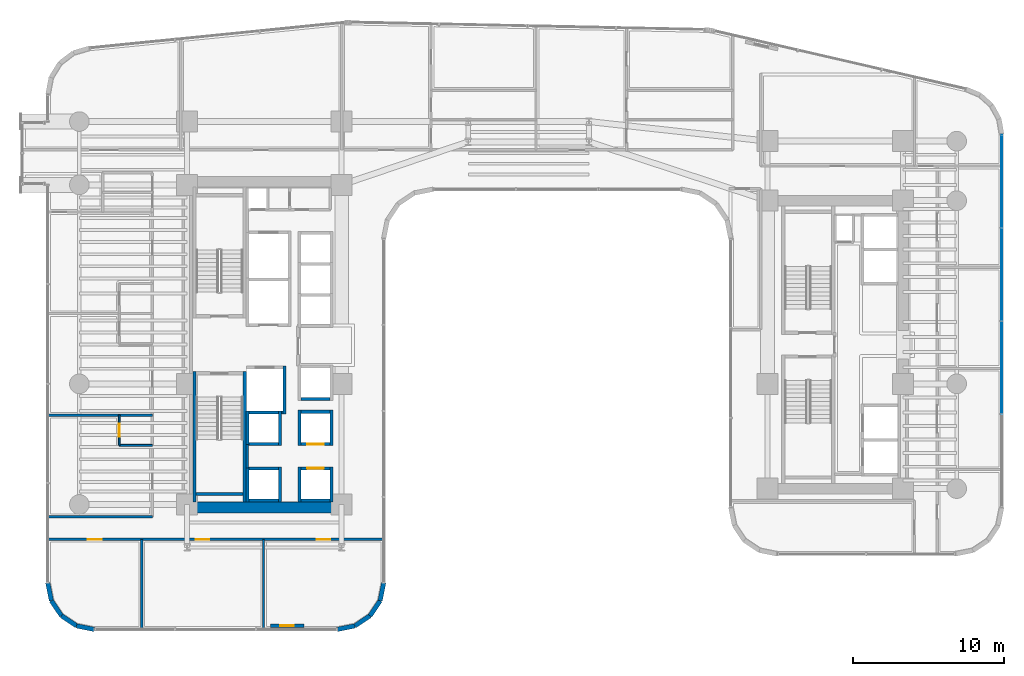
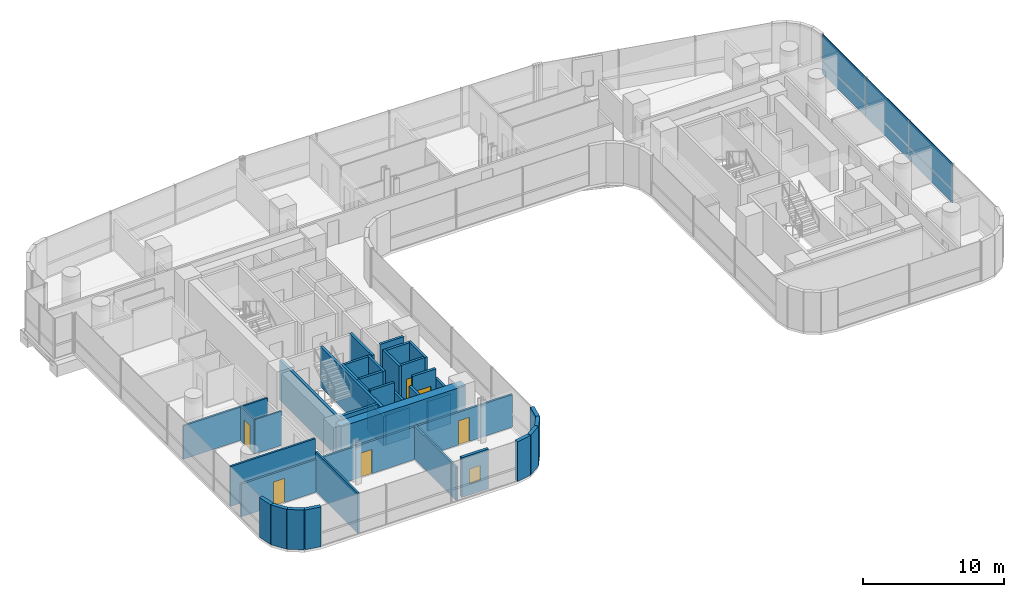
# One storey, part 31 of 41: 39 walls, 6 doors, 5 plates, 1 window, 7 openings, 1 element without a shape of its own.
"""IFC4 building model written with IfcOpenShell, lengths in metres."""

from ifc_helpers import new_model, si_unit, direction, frame, frame_2d, origin, origin_2d, place, context, subcontext, project, spatial, rectangle, extrude, source, transform, mapped, material, layer, layer_set, type_object, element, fill, aggregate, save


model = new_model("IFC4")

# Units and contexts
model_context = context("Model", 3, precision=1e-05, world=origin(), true_north=direction((0.0, 1.0)))
body_context = subcontext(model_context, "Body", "Model", "MODEL_VIEW")
ifc_project = project(units=[si_unit("LENGTHUNIT", "METRE"), si_unit("AREAUNIT", "SQUARE_METRE"), si_unit("VOLUMEUNIT", "CUBIC_METRE"), si_unit("PLANEANGLEUNIT", "RADIAN"), si_unit("MASSUNIT", "GRAM", prefix="KILO")], contexts=[model_context])

# Site, building, storey
site_placement = place(None, origin())
site = spatial("IfcSite", under=ifc_project, at=site_placement, CompositionType="ELEMENT")
building_placement = place(site_placement, origin())
building = spatial("IfcBuilding", under=site, at=building_placement, Name="Valdorenza Pilgrim Sanctuary Tower", CompositionType="ELEMENT")
storey_placement = place(building_placement, frame((0.0, 0.0, 88.89990234375)))
storey = spatial("IfcBuildingStorey", under=building, at=storey_placement, Name="L22", CompositionType="ELEMENT", Elevation=88.89990234375)

# Curtain wall, plates
ifc_material_1 = material(Name="Curtain-wall IGU glazing", Category="glass")
curtain_wall_type = type_object("IfcCurtainWallType", Name="CW-SYS-03", PredefinedType="NOTDEFINED", material=ifc_material_1)
curtain_wall_placement = place(storey_placement, origin())
curtain_wall = element("IfcCurtainWall", 1, at=curtain_wall_placement, inside=storey, type_object=curtain_wall_type, Name="L22 Curtain Wall CW-L22-1-21", PredefinedType="NOTDEFINED")
ifc_material_2 = material(Name="Honed travertine limestone", Category="masonry")
ifc_layer_1 = layer(ifc_material_2, 0.050048828125, Name="Honed travertine limestone")
ifc_layer_set_1 = layer_set([ifc_layer_1], Name="Honed travertine limestone")
plate_type_1 = type_object("IfcPlateType", Name="CW-SPN-TRV", PredefinedType="USERDEFINED", material=ifc_layer_set_1)
shared_shape_1 = source(origin(), body_context, "Body", "SweptSolid", [
    extrude(rectangle(XDim=6.16357421875, YDim=0.06005859375, at=origin_2d()), origin(), (0.0, 0.0, 1.0), 1.10009765625),
])
plate_1_placement = place(storey_placement, frame((31.389892578125, 10.853271484375, 0.010009765625), z_axis=(0.0, 0.0, 1.0), x_axis=(0.0, -1.0, 0.0)))
plate_1 = element("IfcPlate", 2, at=plate_1_placement, type_object=plate_type_1, Name="CW-L22-1-21 Travertine Spandrel 1", ObjectType="SPANDREL", PredefinedType="USERDEFINED", context=body_context, shape_type="MappedRepresentation", body=[
    mapped(shared_shape_1, transform((0.0, 0.0, 0.0), x_axis=(1.0, 0.0, 0.0), y_axis=(0.0, 1.0, 0.0), z_axis=(0.0, 0.0, 1.0), scale=1.0)),
])
plate_2_placement = place(storey_placement, frame((31.389892578125, -1.513916015625, 0.010009765625), z_axis=(0.0, 0.0, 1.0), x_axis=(0.0, -1.0, 0.0)))
plate_2 = element("IfcPlate", 3, at=plate_2_placement, type_object=plate_type_1, Name="CW-L22-1-21 Travertine Spandrel 3", ObjectType="SPANDREL", PredefinedType="USERDEFINED", context=body_context, shape_type="MappedRepresentation", body=[
    mapped(shared_shape_1, transform((0.0, 0.0, 0.0), x_axis=(1.0, 0.0, 0.0), y_axis=(0.0, 1.0, 0.0), z_axis=(0.0, 0.0, 1.0), scale=1.0)),
])
ifc_material_3 = material(Name="Ceramic-fritted low-E IGU glazing", Category="glass")
ifc_layer_2 = layer(ifc_material_3, 0.035888671875, Name="Ceramic-fritted low-E IGU glazing")
ifc_layer_set_2 = layer_set([ifc_layer_2], Name="Ceramic-fritted low-E IGU glazing")
plate_type_2 = type_object("IfcPlateType", Name="CW-GLZ-IGU", PredefinedType="USERDEFINED", material=ifc_layer_set_2)
shared_shape_2 = source(origin(), body_context, "Body", "SweptSolid", [
    extrude(rectangle(XDim=6.16357421875, YDim=0.050048828125, at=origin_2d()), origin(), (0.0, 0.0, 1.0), 2.320068359375),
])
plate_3_placement = place(storey_placement, frame((31.389892578125, 10.853271484375, 1.1298828125), z_axis=(0.0, 0.0, 1.0), x_axis=(0.0, -1.0, 0.0)))
plate_3 = element("IfcPlate", 4, at=plate_3_placement, type_object=plate_type_2, Name="CW-L22-1-21 Facade Panel 1", ObjectType="GLAZING", PredefinedType="USERDEFINED", context=body_context, shape_type="MappedRepresentation", body=[
    mapped(shared_shape_2, transform((0.0, 0.0, 0.0), x_axis=(1.0, 0.0, 0.0), y_axis=(0.0, 1.0, 0.0), z_axis=(0.0, 0.0, 1.0), scale=1.0)),
])
plate_4_placement = place(storey_placement, frame((31.389892578125, -1.513916015625, 1.1298828125), z_axis=(0.0, 0.0, 1.0), x_axis=(0.0, -1.0, 0.0)))
plate_4 = element("IfcPlate", 5, at=plate_4_placement, type_object=plate_type_2, Name="CW-L22-1-21 Facade Panel 3", ObjectType="GLAZING", PredefinedType="USERDEFINED", context=body_context, shape_type="MappedRepresentation", body=[
    mapped(shared_shape_2, transform((0.0, 0.0, 0.0), x_axis=(1.0, 0.0, 0.0), y_axis=(0.0, 1.0, 0.0), z_axis=(0.0, 0.0, 1.0), scale=1.0)),
])
shared_shape_3 = source(origin(), body_context, "Body", "SweptSolid", [
    extrude(rectangle(XDim=6.16357421875, YDim=0.050048828125, at=origin_2d()), origin(), (0.0, 0.0, 1.0), 3.43994140625),
])
plate_5_placement = place(storey_placement, frame((31.389892578125, 4.669677734375, 0.010009765625), z_axis=(0.0, 0.0, 1.0), x_axis=(0.0, -1.0, 0.0)))
plate_5 = element("IfcPlate", 6, at=plate_5_placement, type_object=plate_type_2, Name="CW-L22-1-21 Full-Height Facade Panel 2", ObjectType="GLAZING", PredefinedType="USERDEFINED", context=body_context, shape_type="MappedRepresentation", body=[
    mapped(shared_shape_3, transform((0.0, 0.0, 0.0), x_axis=(1.0, 0.0, 0.0), y_axis=(0.0, 1.0, 0.0), z_axis=(0.0, 0.0, 1.0), scale=1.0)),
])
aggregate(curtain_wall, [plate_1, plate_3, plate_5, plate_2, plate_4])

# Wall
ifc_material_4 = material(Name="Acoustic twin-stud gypsum partition", Category="gypsum")
ifc_layer_3 = layer(ifc_material_4, 0.159912109375, Name="Acoustic twin-stud gypsum partition")
ifc_layer_set_3 = layer_set([ifc_layer_3], Name="Acoustic twin-stud gypsum partition")
wall_type_1 = type_object("IfcWallType", Name="WAL-COR-160", PredefinedType="PARTITIONING", material=ifc_layer_set_3)
wall_1_placement = place(storey_placement, frame((-18.64990234375, -8.179931640625, 0.0), z_axis=(0.0, 0.0, 1.0), x_axis=(0.0, 1.0, 0.0)))
element("IfcWall", 7, at=wall_1_placement, inside=storey, type_object=wall_type_1, Name="L22 Core A South Lift Hall West Wall", PredefinedType="PARTITIONING", context=body_context, shape_type="SweptSolid", body=[
    extrude(rectangle(XDim=1.559814453125, YDim=0.159912109375, at=frame_2d((0.77978515625, 0.0))), origin(), (0.0, 0.0, 1.0), 3.460205078125),
])

# Wall, openings, doors
wall_2_placement = place(storey_placement, frame((-31.889892578125, -12.919921875, 0.0), z_axis=(0.0, 0.0, 1.0), x_axis=(1.0, 0.0, 0.0)))
wall_2 = element("IfcWall", 8, at=wall_2_placement, inside=storey, type_object=wall_type_1, Name="L22 South Wing Corridor Wall", PredefinedType="PARTITIONING", context=body_context, shape_type="SweptSolid", body=[
    extrude(rectangle(XDim=22.27978515625, YDim=0.159912109375, at=frame_2d((11.139892578125, 0.0))), origin(), (0.0, 0.0, 1.0), 2.833984375),
])
opening_1_placement = place(wall_2_placement, frame((2.6650390625, 0.0, 0.0)))
opening_1 = element("IfcOpeningElement", 9, at=opening_1_placement, cuts=wall_2, Name="Opening DR-RM1", PredefinedType="OPENING", context=body_context, shape_type="SweptSolid", body=[
    extrude(rectangle(XDim=0.89990234375, YDim=2.10009765625, at=frame_2d((0.449951171875, 1.050048828125))), frame((0.0, 0.0947265625, 0.0), z_axis=(0.0, -1.0, 0.0), x_axis=(1.0, 0.0, 0.0)), (0.0, 0.0, 1.0), 0.189697265625),
])
opening_2_placement = place(wall_2_placement, frame((9.820068359375, 0.0, 0.0)))
opening_2 = element("IfcOpeningElement", 10, at=opening_2_placement, cuts=wall_2, Name="Opening DR-RM1", PredefinedType="OPENING", context=body_context, shape_type="SweptSolid", body=[
    extrude(rectangle(XDim=0.89990234375, YDim=2.10009765625, at=frame_2d((0.449951171875, 1.050048828125))), frame((0.0, 0.0947265625, 0.0), z_axis=(0.0, -1.0, 0.0), x_axis=(1.0, 0.0, 0.0)), (0.0, 0.0, 1.0), 0.189697265625),
])
opening_3_placement = place(wall_2_placement, frame((17.844970703125, 0.0, 0.0)))
opening_3 = element("IfcOpeningElement", 11, at=opening_3_placement, cuts=wall_2, Name="Opening DR-RM1", PredefinedType="OPENING", context=body_context, shape_type="SweptSolid", body=[
    extrude(rectangle(XDim=0.89990234375, YDim=2.10009765625, at=frame_2d((0.449951171875, 1.050048828125))), frame((0.0, 0.0947265625, 0.0), z_axis=(0.0, -1.0, 0.0), x_axis=(1.0, 0.0, 0.0)), (0.0, 0.0, 1.0), 0.189697265625),
])
ifc_material_5 = material(Name="Solid-core European oak timber", Category="wood")
door_type_1 = type_object("IfcDoorType", Name="DR-ROOM-900", OperationType="NOTDEFINED", PredefinedType="DOOR", material=ifc_material_5)
door_1_placement = place(opening_1_placement, frame((0.89990234375, 0.0, 0.0), z_axis=(0.0, 0.0, 1.0), x_axis=(-1.0, 0.0, 0.0)))
door_1 = element("IfcDoor", 12, at=door_1_placement, inside=storey, type_object=door_type_1, Name="L22 Retreat Discussion Room L22-S1 Door", OperationType="SINGLE_SWING_LEFT", OverallHeight=2.10009765625, OverallWidth=0.89990234375, PredefinedType="DOOR", context=body_context, shape_type="SweptSolid", body=[
    extrude(rectangle(XDim=0.89990234375, YDim=2.10009765625, at=frame_2d((0.449951171875, 1.050048828125))), frame((0.0, 0.02490234375, 0.0), z_axis=(0.0, -1.0, 0.0), x_axis=(1.0, 0.0, 0.0)), (0.0, 0.0, 1.0), 0.050048828125),
])
fill(opening_1, door_1)
door_2_placement = place(opening_2_placement, origin())
door_2 = element("IfcDoor", 13, at=door_2_placement, inside=storey, type_object=door_type_1, Name="L22 Retreat Discussion Room L22-S2 Door", OperationType="SINGLE_SWING_RIGHT", OverallHeight=2.10009765625, OverallWidth=0.89990234375, PredefinedType="DOOR", context=body_context, shape_type="SweptSolid", body=[
    extrude(rectangle(XDim=0.89990234375, YDim=2.10009765625, at=frame_2d((0.449951171875, 1.050048828125))), frame((0.0, 0.02490234375, 0.0), z_axis=(0.0, -1.0, 0.0), x_axis=(1.0, 0.0, 0.0)), (0.0, 0.0, 1.0), 0.050048828125),
])
fill(opening_2, door_2)
door_3_placement = place(opening_3_placement, frame((0.89990234375, 0.0, 0.0), z_axis=(0.0, 0.0, 1.0), x_axis=(-1.0, 0.0, 0.0)))
door_3 = element("IfcDoor", 14, at=door_3_placement, inside=storey, type_object=door_type_1, Name="L22 Retreat Discussion Room L22-S3 Door", OperationType="SINGLE_SWING_LEFT", OverallHeight=2.10009765625, OverallWidth=0.89990234375, PredefinedType="DOOR", context=body_context, shape_type="SweptSolid", body=[
    extrude(rectangle(XDim=0.89990234375, YDim=2.10009765625, at=frame_2d((0.449951171875, 1.050048828125))), frame((0.0, 0.02490234375, 0.0), z_axis=(0.0, -1.0, 0.0), x_axis=(1.0, 0.0, 0.0)), (0.0, 0.0, 1.0), 0.050048828125),
])
fill(opening_3, door_3)

# Walls
wall_3_placement = place(storey_placement, frame((-31.889892578125, -11.419921875, 0.0), z_axis=(0.0, 0.0, 1.0), x_axis=(1.0, 0.0, 0.0)))
element("IfcWall", 15, at=wall_3_placement, inside=storey, type_object=wall_type_1, Name="L22 South-West Corridor North Wall", PredefinedType="PARTITIONING", context=body_context, shape_type="SweptSolid", body=[
    extrude(rectangle(XDim=6.93994140625, YDim=0.159912109375, at=frame_2d((3.469970703125, 0.0))), origin(), (0.0, 0.0, 1.0), 3.460205078125),
])
ifc_material_6 = material(Name="Concrete C60/75", Category="concrete")
ifc_layer_4 = layer(ifc_material_6, 0.699951171875, Name="Concrete C60/75")
ifc_layer_set_4 = layer_set([ifc_layer_4], Name="Concrete C60/75")
wall_type_2 = type_object("IfcWallType", Name="WAL-COR-700", PredefinedType="SHEAR", material=ifc_layer_set_4)
wall_4_placement = place(storey_placement, frame((-22.64990234375, -10.800048828125, 0.0), z_axis=(0.0, 0.0, 1.0), x_axis=(1.0, 0.0, 0.0)))
element("IfcWall", 16, at=wall_4_placement, inside=storey, type_object=wall_type_2, Name="L22 Split Core A Shear Wall S", PredefinedType="SHEAR", context=body_context, shape_type="SweptSolid", body=[
    extrude(rectangle(XDim=10.25, YDim=0.699951171875, at=frame_2d((5.125, 0.0))), origin(), (0.0, 0.0, 1.0), 3.460205078125),
])
ifc_layer_5 = layer(ifc_material_2, 0.300048828125, Name="Honed travertine limestone")
ifc_layer_set_5 = layer_set([ifc_layer_5], Name="Honed travertine limestone")
wall_type_3 = type_object("IfcWallType", Name="WAL-EXT-300", PredefinedType="SOLIDWALL", material=ifc_layer_set_5)
wall_5_placement = place(storey_placement, frame((-9.610107421875, -15.789306640625, 0.0), z_axis=(0.0, 0.0, 1.0), x_axis=(-0.194996050505, -0.980804027463, 0.0)))
element("IfcWall", 17, at=wall_5_placement, inside=storey, type_object=wall_type_3, Name="L22 Rounded Wind-Corner Stone Pier 42", PredefinedType="SOLIDWALL", context=body_context, shape_type="SweptSolid", body=[
    extrude(rectangle(XDim=1.2158203125, YDim=0.300048828125, at=frame_2d((0.60791015625, 0.0))), origin(), (0.0, 0.0, 1.0), 3.460205078125),
])
for number, where, z_axis, x_axis, name in (
    (18, (-9.84716796875, -16.981689453125, 0.0), (0.0, 0.0, 1.0), (-0.555635100982, -0.831426265255, 0.0), "L22 Rounded Wind-Corner Stone Pier 43"),
    (19, (-10.5166015625, -17.9833984375, 0.0), (0.0, 0.0, 1.0), (-0.831426265255, -0.555635100982, 0.0), "L22 Rounded Wind-Corner Stone Pier 44"),
):
    element("IfcWall", number, at=place(storey_placement, frame(where, z_axis=z_axis, x_axis=x_axis)), inside=storey, type_object=wall_type_3, Name=name, PredefinedType="SOLIDWALL", context=body_context, shape_type="SweptSolid", body=[
        extrude(rectangle(XDim=1.204833984375, YDim=0.300048828125, at=frame_2d((0.6025390625, 0.0))), origin(), (0.0, 0.0, 1.0), 3.460205078125),
    ])
wall_6_placement = place(storey_placement, frame((-11.518310546875, -18.65283203125, 0.0), z_axis=(0.0, 0.0, 1.0), x_axis=(-0.980804027463, -0.194996050505, 0.0)))
element("IfcWall", 20, at=wall_6_placement, inside=storey, type_object=wall_type_3, Name="L22 Rounded Wind-Corner Stone Pier 45", PredefinedType="SOLIDWALL", context=body_context, shape_type="SweptSolid", body=[
    extrude(rectangle(XDim=1.2158203125, YDim=0.300048828125, at=frame_2d((0.60791015625, 0.0))), origin(), (0.0, 0.0, 1.0), 3.460205078125),
])

# Wall, opening, window
wall_7_placement = place(storey_placement, frame((-14.910888671875, -18.64990234375, 0.0), z_axis=(0.0, 0.0, 1.0), x_axis=(-1.0, 0.0, 0.0)))
wall_7 = element("IfcWall", 21, at=wall_7_placement, inside=storey, type_object=wall_type_3, Name="L22 Operable Ventilation Sash Jamb Pier", PredefinedType="SOLIDWALL", context=body_context, shape_type="SweptSolid", body=[
    extrude(rectangle(XDim=2.199951171875, YDim=0.219970703125, at=frame_2d((1.10009765625, 0.0))), origin(), (0.0, 0.0, 1.0), 3.460205078125),
])
opening_4_placement = place(wall_7_placement, frame((0.64990234375, 0.0, 0.949951171875)))
opening_4 = element("IfcOpeningElement", 22, at=opening_4_placement, cuts=wall_7, Name="Opening WN-OP1", PredefinedType="OPENING", context=body_context, shape_type="SweptSolid", body=[
    extrude(rectangle(XDim=0.89990234375, YDim=1.300048828125, at=frame_2d((0.449951171875, 0.64990234375))), frame((0.0, 0.125, 0.0), z_axis=(0.0, -1.0, 0.0), x_axis=(1.0, 0.0, 0.0)), (0.0, 0.0, 1.0), 0.249755859375),
])
window_type = type_object("IfcWindowType", Name="WIN-OPN-900", PartitioningType="SINGLE_PANEL", PredefinedType="WINDOW", material=ifc_material_3)
window_placement = place(opening_4_placement, origin())
window = element("IfcWindow", 23, at=window_placement, inside=storey, type_object=window_type, Name="L22 Parallel-Pop-Out Operable Facade Panel", OverallHeight=1.300048828125, OverallWidth=0.89990234375, PartitioningType="SINGLE_PANEL", PredefinedType="WINDOW", context=body_context, shape_type="SweptSolid", body=[
    extrude(rectangle(XDim=0.89990234375, YDim=1.300048828125, at=frame_2d((0.449951171875, 0.64990234375))), frame((0.0, 0.030029296875, 0.0), z_axis=(0.0, -1.0, 0.0), x_axis=(1.0, 0.0, 0.0)), (0.0, 0.0, 1.0), 0.06005859375),
])
fill(opening_4, window)

# Walls
wall_8_placement = place(storey_placement, frame((-28.789306640625, -18.889892578125, 0.0), z_axis=(0.0, 0.0, 1.0), x_axis=(-0.980804027463, 0.194996050505, 0.0)))
element("IfcWall", 24, at=wall_8_placement, inside=storey, type_object=wall_type_3, Name="L22 Rounded Wind-Corner Stone Pier 47", PredefinedType="SOLIDWALL", context=body_context, shape_type="SweptSolid", body=[
    extrude(rectangle(XDim=1.2158203125, YDim=0.300048828125, at=frame_2d((0.60791015625, 0.0))), origin(), (0.0, 0.0, 1.0), 3.460205078125),
])
for number, where, z_axis, x_axis, name in (
    (25, (-29.981689453125, -18.65283203125, 0.0), (0.0, 0.0, 1.0), (-0.831426265255, 0.555635100982, 0.0), "L22 Rounded Wind-Corner Stone Pier 48"),
    (26, (-30.9833984375, -17.9833984375, 0.0), (0.0, 0.0, 1.0), (-0.555635100982, 0.831426265255, 0.0), "L22 Rounded Wind-Corner Stone Pier 49"),
):
    element("IfcWall", number, at=place(storey_placement, frame(where, z_axis=z_axis, x_axis=x_axis)), inside=storey, type_object=wall_type_3, Name=name, PredefinedType="SOLIDWALL", context=body_context, shape_type="SweptSolid", body=[
        extrude(rectangle(XDim=1.204833984375, YDim=0.300048828125, at=frame_2d((0.6025390625, 0.0))), origin(), (0.0, 0.0, 1.0), 3.460205078125),
    ])
wall_9_placement = place(storey_placement, frame((-31.65283203125, -16.981689453125, 0.0), z_axis=(0.0, 0.0, 1.0), x_axis=(-0.194996050505, 0.980804027463, 0.0)))
element("IfcWall", 27, at=wall_9_placement, inside=storey, type_object=wall_type_3, Name="L22 Rounded Wind-Corner Stone Pier 50", PredefinedType="SOLIDWALL", context=body_context, shape_type="SweptSolid", body=[
    extrude(rectangle(XDim=1.2158203125, YDim=0.300048828125, at=frame_2d((0.60791015625, 0.0))), origin(), (0.0, 0.0, 1.0), 3.460205078125),
])
ifc_material_7 = material(Name="Moisture-resistant gypsum partition", Category="gypsum")
ifc_layer_6 = layer(ifc_material_7, 0.1201171875, Name="Moisture-resistant gypsum partition")
ifc_layer_set_6 = layer_set([ifc_layer_6], Name="Moisture-resistant gypsum partition")
wall_type_4 = type_object("IfcWallType", Name="WAL-INT-120", PredefinedType="PARTITIONING", material=ifc_layer_set_6)
wall_10_placement = place(storey_placement, frame((-27.14990234375, -6.679931640625, 0.0), z_axis=(0.0, 0.0, 1.0), x_axis=(1.0, 0.0, 0.0)))
element("IfcWall", 28, at=wall_10_placement, inside=storey, type_object=wall_type_4, Name="L22 Sanctuary Guest Room L22-W1 En-suite South Wall", PredefinedType="PARTITIONING", context=body_context, shape_type="SweptSolid", body=[
    extrude(rectangle(XDim=2.199951171875, YDim=0.1201171875, at=frame_2d((1.10009765625, 0.0))), origin(), (0.0, 0.0, 1.0), 2.97900390625),
])

# Wall, opening, door
wall_11_placement = place(storey_placement, frame((-27.14990234375, -6.679931640625, 0.0), z_axis=(0.0, 0.0, 1.0), x_axis=(0.0, 1.0, 0.0)))
wall_11 = element("IfcWall", 29, at=wall_11_placement, inside=storey, type_object=wall_type_4, Name="L22 Sanctuary Guest Room L22-W1 En-suite Door Wall", PredefinedType="PARTITIONING", context=body_context, shape_type="SweptSolid", body=[
    extrude(rectangle(XDim=2.0, YDim=0.1201171875, at=frame_2d((1.0, 0.0))), origin(), (0.0, 0.0, 1.0), 2.97900390625),
])
opening_5_placement = place(wall_11_placement, frame((0.574951171875, 0.0, 0.0)))
opening_5 = element("IfcOpeningElement", 30, at=opening_5_placement, cuts=wall_11, Name="Opening DR-WC1", PredefinedType="OPENING", context=body_context, shape_type="SweptSolid", body=[
    extrude(rectangle(XDim=0.85009765625, YDim=2.10009765625, at=frame_2d((0.425048828125, 1.050048828125))), frame((0.0, 0.074951171875, 0.0), z_axis=(0.0, -1.0, 0.0), x_axis=(1.0, 0.0, 0.0)), (0.0, 0.0, 1.0), 0.14990234375),
])
ifc_material_8 = material(Name="Moisture-resistant lacquered timber", Category="wood")
door_type_2 = type_object("IfcDoorType", Name="DR-BATH-850", OperationType="NOTDEFINED", PredefinedType="DOOR", material=ifc_material_8)
door_4_placement = place(opening_5_placement, origin())
door_4 = element("IfcDoor", 31, at=door_4_placement, inside=storey, type_object=door_type_2, Name="L22 Sanctuary Guest Room L22-W1 En-suite Bathroom Door", OperationType="SINGLE_SWING_RIGHT", OverallHeight=2.10009765625, OverallWidth=0.85009765625, PredefinedType="DOOR", context=body_context, shape_type="SweptSolid", body=[
    extrude(rectangle(XDim=0.85009765625, YDim=2.10009765625, at=frame_2d((0.425048828125, 1.050048828125))), frame((0.0, 0.02490234375, 0.0), z_axis=(0.0, -1.0, 0.0), x_axis=(1.0, 0.0, 0.0)), (0.0, 0.0, 1.0), 0.050048828125),
])
fill(opening_5, door_4)

# Walls
ifc_material_9 = material(Name="Autoclaved aerated concrete blockwork", Category="masonry")
ifc_layer_7 = layer(ifc_material_9, 0.199951171875, Name="Autoclaved aerated concrete blockwork")
ifc_layer_set_7 = layer_set([ifc_layer_7], Name="Autoclaved aerated concrete blockwork")
wall_type_5 = type_object("IfcWallType", Name="WAL-SHF-200", PredefinedType="MOVABLE", material=ifc_layer_set_7)
wall_12_placement = place(storey_placement, frame((-16.199951171875, -4.60009765625, 0.0), z_axis=(0.0, 0.0, 1.0), x_axis=(0.0, 1.0, 0.0)))
element("IfcWall", 32, at=wall_12_placement, inside=storey, type_object=wall_type_5, Name="L22 Lift FFL-02 Hoistway Wall East", PredefinedType="MOVABLE", context=body_context, shape_type="SweptSolid", body=[
    extrude(rectangle(XDim=3.2001953125, YDim=0.199951171875, at=frame_2d((1.60009765625, 0.0))), origin(), (0.0, 0.0, 1.0), 3.460205078125),
])
wall_13_placement = place(storey_placement, frame((-18.719970703125, -4.5, 0.0), z_axis=(0.0, 0.0, 1.0), x_axis=(1.0, 0.0, 0.0)))
element("IfcWall", 33, at=wall_13_placement, inside=storey, type_object=wall_type_5, Name="L22 Lift FFL-02 Hoistway Wall South", PredefinedType="MOVABLE", context=body_context, shape_type="SweptSolid", body=[
    extrude(rectangle(XDim=2.419921875, YDim=0.199951171875, at=frame_2d((1.2099609375, 0.0))), origin(), (0.0, 0.0, 1.0), 3.460205078125),
])
for number, where, z_axis, x_axis, name in (
    (34, (-15.199951171875, -10.449951171875, 0.0), (0.0, 0.0, 1.0), (0.0, 1.0, 0.0), "L22 Lift PL-01 Hoistway Wall West"),
    (35, (-13.080078125, -10.449951171875, 0.0), (0.0, 0.0, 1.0), (0.0, 1.0, 0.0), "L22 Lift PL-01 Hoistway Wall East"),
):
    element("IfcWall", number, at=place(storey_placement, frame(where, z_axis=z_axis, x_axis=x_axis)), inside=storey, type_object=wall_type_5, Name=name, PredefinedType="MOVABLE", context=body_context, shape_type="SweptSolid", body=[
        extrude(rectangle(XDim=2.349853515625, YDim=0.199951171875, at=frame_2d((1.1748046875, 0.0))), origin(), (0.0, 0.0, 1.0), 2.5830078125),
    ])
wall_14_placement = place(storey_placement, frame((-15.10009765625, -10.35009765625, 0.0), z_axis=(0.0, 0.0, 1.0), x_axis=(1.0, 0.0, 0.0)))
element("IfcWall", 36, at=wall_14_placement, inside=storey, type_object=wall_type_5, Name="L22 Lift PL-01 Hoistway Wall South", PredefinedType="MOVABLE", context=body_context, shape_type="SweptSolid", body=[
    extrude(rectangle(XDim=1.920166015625, YDim=0.199951171875, at=frame_2d((0.9599609375, 0.0))), origin(), (0.0, 0.0, 1.0), 2.5830078125),
])

# Wall, opening, door
wall_15_placement = place(storey_placement, frame((-15.10009765625, -8.199951171875, 0.0), z_axis=(0.0, 0.0, 1.0), x_axis=(1.0, 0.0, 0.0)))
wall_15 = element("IfcWall", 37, at=wall_15_placement, inside=storey, type_object=wall_type_5, Name="L22 Lift PL-01 Hoistway Wall North", PredefinedType="MOVABLE", context=body_context, shape_type="SweptSolid", body=[
    extrude(rectangle(XDim=1.920166015625, YDim=0.199951171875, at=frame_2d((0.9599609375, 0.0))), origin(), (0.0, 0.0, 1.0), 3.460205078125),
])
opening_6_placement = place(wall_15_placement, frame((0.409912109375, 0.0, 0.0)))
opening_6 = element("IfcOpeningElement", 38, at=opening_6_placement, cuts=wall_15, Name="Opening LD-01", PredefinedType="OPENING", context=body_context, shape_type="SweptSolid", body=[
    extrude(rectangle(XDim=1.10009765625, YDim=2.10009765625, at=frame_2d((0.550048828125, 1.050048828125))), frame((0.0, 0.11474609375, 0.0), z_axis=(0.0, -1.0, 0.0), x_axis=(1.0, 0.0, 0.0)), (0.0, 0.0, 1.0), 0.229736328125),
])
ifc_material_10 = material(Name="Brushed stainless steel Grade 316", Category="steel")
door_type_3 = type_object("IfcDoorType", Name="DR-LFT-1100", OperationType="DOUBLE_DOOR_SLIDING", PredefinedType="DOOR", material=ifc_material_10)
door_5_placement = place(opening_6_placement, origin())
door_5 = element("IfcDoor", 39, at=door_5_placement, inside=storey, type_object=door_type_3, Name="L22 Lift PL-01 Sliding Landing Door", OperationType="DOUBLE_DOOR_SLIDING", OverallHeight=2.10009765625, OverallWidth=1.10009765625, PredefinedType="DOOR", context=body_context, shape_type="SweptSolid", body=[
    extrude(rectangle(XDim=1.10009765625, YDim=2.10009765625, at=frame_2d((0.550048828125, 1.050048828125))), frame((0.0, 0.02490234375, 0.0), z_axis=(0.0, -1.0, 0.0), x_axis=(1.0, 0.0, 0.0)), (0.0, 0.0, 1.0), 0.050048828125),
])
fill(opening_6, door_5)

# Walls
for number, where, z_axis, x_axis, name in (
    (40, (-15.199951171875, -6.699951171875, 0.0), (0.0, 0.0, 1.0), (0.0, 1.0, 0.0), "L22 Lift PL-02 Hoistway Wall West"),
    (41, (-13.080078125, -6.699951171875, 0.0), (0.0, 0.0, 1.0), (0.0, 1.0, 0.0), "L22 Lift PL-02 Hoistway Wall East"),
):
    element("IfcWall", number, at=place(storey_placement, frame(where, z_axis=z_axis, x_axis=x_axis)), inside=storey, type_object=wall_type_5, Name=name, PredefinedType="MOVABLE", context=body_context, shape_type="SweptSolid", body=[
        extrude(rectangle(XDim=2.349853515625, YDim=0.199951171875, at=frame_2d((1.1748046875, 0.0))), origin(), (0.0, 0.0, 1.0), 3.460205078125),
    ])

# Wall, opening, door
wall_16_placement = place(storey_placement, frame((-15.10009765625, -6.60009765625, 0.0), z_axis=(0.0, 0.0, 1.0), x_axis=(1.0, 0.0, 0.0)))
wall_16 = element("IfcWall", 42, at=wall_16_placement, inside=storey, type_object=wall_type_5, Name="L22 Lift PL-02 Hoistway Wall South", PredefinedType="MOVABLE", context=body_context, shape_type="SweptSolid", body=[
    extrude(rectangle(XDim=1.920166015625, YDim=0.199951171875, at=frame_2d((0.9599609375, 0.0))), origin(), (0.0, 0.0, 1.0), 3.460205078125),
])
opening_7_placement = place(wall_16_placement, frame((0.409912109375, 0.0, 0.0)))
opening_7 = element("IfcOpeningElement", 43, at=opening_7_placement, cuts=wall_16, Name="Opening LD-01", PredefinedType="OPENING", context=body_context, shape_type="SweptSolid", body=[
    extrude(rectangle(XDim=1.10009765625, YDim=2.10009765625, at=frame_2d((0.550048828125, 1.050048828125))), frame((0.0, 0.11474609375, 0.0), z_axis=(0.0, -1.0, 0.0), x_axis=(1.0, 0.0, 0.0)), (0.0, 0.0, 1.0), 0.229736328125),
])
door_6_placement = place(opening_7_placement, origin())
door_6 = element("IfcDoor", 44, at=door_6_placement, inside=storey, type_object=door_type_3, Name="L22 Lift PL-02 Sliding Landing Door", OperationType="DOUBLE_DOOR_SLIDING", OverallHeight=2.10009765625, OverallWidth=1.10009765625, PredefinedType="DOOR", context=body_context, shape_type="SweptSolid", body=[
    extrude(rectangle(XDim=1.10009765625, YDim=2.10009765625, at=frame_2d((0.550048828125, 1.050048828125))), frame((0.0, 0.02490234375, 0.0), z_axis=(0.0, -1.0, 0.0), x_axis=(1.0, 0.0, 0.0)), (0.0, 0.0, 1.0), 0.050048828125),
])
fill(opening_7, door_6)

# Walls
wall_17_placement = place(storey_placement, frame((-15.10009765625, -4.449951171875, 0.0), z_axis=(0.0, 0.0, 1.0), x_axis=(1.0, 0.0, 0.0)))
element("IfcWall", 45, at=wall_17_placement, inside=storey, type_object=wall_type_5, Name="L22 Lift PL-02 Hoistway Wall North", PredefinedType="MOVABLE", context=body_context, shape_type="SweptSolid", body=[
    extrude(rectangle(XDim=1.920166015625, YDim=0.199951171875, at=frame_2d((0.9599609375, 0.0))), origin(), (0.0, 0.0, 1.0), 3.460205078125),
])
for number, where, z_axis, x_axis, name in (
    (46, (-18.64990234375, -10.449951171875, 0.0), (0.0, 0.0, 1.0), (0.0, 1.0, 0.0), "L22 Lift PL-05 Hoistway Wall West"),
    (47, (-16.5, -10.449951171875, 0.0), (0.0, 0.0, 1.0), (0.0, 1.0, 0.0), "L22 Lift PL-05 Hoistway Wall East"),
):
    element("IfcWall", number, at=place(storey_placement, frame(where, z_axis=z_axis, x_axis=x_axis)), inside=storey, type_object=wall_type_5, Name=name, PredefinedType="MOVABLE", context=body_context, shape_type="SweptSolid", body=[
        extrude(rectangle(XDim=2.349853515625, YDim=0.199951171875, at=frame_2d((1.1748046875, 0.0))), origin(), (0.0, 0.0, 1.0), 2.5830078125),
    ])
wall_18_placement = place(storey_placement, frame((-18.550048828125, -10.35009765625, 0.0), z_axis=(0.0, 0.0, 1.0), x_axis=(1.0, 0.0, 0.0)))
element("IfcWall", 48, at=wall_18_placement, inside=storey, type_object=wall_type_5, Name="L22 Lift PL-05 Hoistway Wall South", PredefinedType="MOVABLE", context=body_context, shape_type="SweptSolid", body=[
    extrude(rectangle(XDim=1.949951171875, YDim=0.199951171875, at=frame_2d((0.97509765625, 0.0))), origin(), (0.0, 0.0, 1.0), 2.5830078125),
])
wall_19_placement = place(storey_placement, frame((-18.550048828125, -8.199951171875, 0.0), z_axis=(0.0, 0.0, 1.0), x_axis=(1.0, 0.0, 0.0)))
element("IfcWall", 49, at=wall_19_placement, inside=storey, type_object=wall_type_5, Name="L22 Lift PL-05 Hoistway Wall North", PredefinedType="MOVABLE", context=body_context, shape_type="SweptSolid", body=[
    extrude(rectangle(XDim=1.949951171875, YDim=0.199951171875, at=frame_2d((0.97509765625, 0.0))), origin(), (0.0, 0.0, 1.0), 3.460205078125),
])
for number, where, z_axis, x_axis, name in (
    (50, (-18.64990234375, -6.699951171875, 0.0), (0.0, 0.0, 1.0), (0.0, 1.0, 0.0), "L22 Lift PL-11 Hoistway Wall West"),
    (51, (-16.5, -6.699951171875, 0.0), (0.0, 0.0, 1.0), (0.0, 1.0, 0.0), "L22 Lift PL-11 Hoistway Wall East"),
):
    element("IfcWall", number, at=place(storey_placement, frame(where, z_axis=z_axis, x_axis=x_axis)), inside=storey, type_object=wall_type_5, Name=name, PredefinedType="MOVABLE", context=body_context, shape_type="SweptSolid", body=[
        extrude(rectangle(XDim=2.300048828125, YDim=0.199951171875, at=frame_2d((1.14990234375, 0.0))), origin(), (0.0, 0.0, 1.0), 3.460205078125),
    ])
wall_20_placement = place(storey_placement, frame((-18.550048828125, -6.60009765625, 0.0), z_axis=(0.0, 0.0, 1.0), x_axis=(1.0, 0.0, 0.0)))
element("IfcWall", 52, at=wall_20_placement, inside=storey, type_object=wall_type_5, Name="L22 Lift PL-11 Hoistway Wall South", PredefinedType="MOVABLE", context=body_context, shape_type="SweptSolid", body=[
    extrude(rectangle(XDim=1.949951171875, YDim=0.199951171875, at=frame_2d((0.97509765625, 0.0))), origin(), (0.0, 0.0, 1.0), 3.460205078125),
])
wall_21_placement = place(storey_placement, frame((-15.10009765625, -3.60009765625, 0.0), z_axis=(0.0, 0.0, 1.0), x_axis=(1.0, 0.0, 0.0)))
element("IfcWall", 53, at=wall_21_placement, inside=storey, type_object=wall_type_5, Name="L22 Lift PL-12 Hoistway Wall South", PredefinedType="MOVABLE", context=body_context, shape_type="SweptSolid", body=[
    extrude(rectangle(XDim=1.920166015625, YDim=0.199951171875, at=frame_2d((0.9599609375, 0.0))), origin(), (0.0, 0.0, 1.0), 3.460205078125),
])
ifc_material_11 = material(Name="Concrete C40/50", Category="concrete")
ifc_layer_8 = layer(ifc_material_11, 0.219970703125, Name="Concrete C40/50")
ifc_layer_set_8 = layer_set([ifc_layer_8], Name="Concrete C40/50")
wall_type_6 = type_object("IfcWallType", Name="WAL-STR-SHF-220", PredefinedType="SHEAR", material=ifc_layer_set_8)
for number, where, z_axis, x_axis, name in (
    (54, (-22.159912109375, -10.449951171875, 0.0), (0.0, 0.0, 1.0), (0.0, 1.0, 0.0), "L22 ST-A2 Structural Stairwell Wall W"),
    (55, (-18.830078125, -10.449951171875, 0.0), (0.0, 0.0, 1.0), (0.0, 1.0, 0.0), "L22 ST-A2 Structural Stairwell Wall E"),
):
    element("IfcWall", number, at=place(storey_placement, frame(where, z_axis=z_axis, x_axis=x_axis)), inside=storey, type_object=wall_type_6, Name=name, PredefinedType="SHEAR", context=body_context, shape_type="SweptSolid", body=[
        extrude(rectangle(XDim=8.669921875, YDim=0.219970703125, at=frame_2d((4.3349609375, 0.0))), origin(), (0.0, 0.0, 1.0), 3.460205078125),
    ])
wall_22_placement = place(storey_placement, frame((-22.050048828125, -9.909912109375, 0.0), z_axis=(0.0, 0.0, 1.0), x_axis=(1.0, 0.0, 0.0)))
element("IfcWall", 56, at=wall_22_placement, inside=storey, type_object=wall_type_6, Name="L22 ST-A2 Structural Stairwell Wall S", PredefinedType="SHEAR", context=body_context, shape_type="SweptSolid", body=[
    extrude(rectangle(XDim=3.110107421875, YDim=0.219970703125, at=frame_2d((1.55517578125, 0.0))), origin(), (0.0, 0.0, 1.0), 3.460205078125),
])
ifc_layer_9 = layer(ifc_material_4, 0.14990234375, Name="Acoustic twin-stud gypsum partition")
ifc_layer_set_9 = layer_set([ifc_layer_9], Name="Acoustic twin-stud gypsum partition")
wall_type_7 = type_object("IfcWallType", Name="WAL-UNT-150", PredefinedType="PARTITIONING", material=ifc_layer_set_9)
wall_23_placement = place(storey_placement, frame((-31.889892578125, -4.679931640625, 0.0), z_axis=(0.0, 0.0, 1.0), x_axis=(1.0, 0.0, 0.0)))
element("IfcWall", 57, at=wall_23_placement, inside=storey, type_object=wall_type_7, Name="L22 West Apt Demising 1", PredefinedType="PARTITIONING", context=body_context, shape_type="SweptSolid", body=[
    extrude(rectangle(XDim=6.93994140625, YDim=0.14990234375, at=frame_2d((3.469970703125, 0.0))), origin(), (0.0, 0.0, 1.0), 2.89599609375),
])
wall_24_placement = place(storey_placement, frame((-25.659912109375, -18.889892578125, 0.0), z_axis=(0.0, 0.0, 1.0), x_axis=(0.0, 1.0, 0.0)))
element("IfcWall", 58, at=wall_24_placement, inside=storey, type_object=wall_type_7, Name="L22 Retreat Discussion Room L22-S2 Demising Wall", PredefinedType="PARTITIONING", context=body_context, shape_type="SweptSolid", body=[
    extrude(rectangle(XDim=5.969970703125, YDim=0.14990234375, at=frame_2d((2.98486328125, 0.0))), origin(), (0.0, 0.0, 1.0), 3.460205078125),
])
wall_25_placement = place(storey_placement, frame((-17.580078125, -18.889892578125, 0.0), z_axis=(0.0, 0.0, 1.0), x_axis=(0.0, 1.0, 0.0)))
element("IfcWall", 59, at=wall_25_placement, inside=storey, type_object=wall_type_7, Name="L22 Retreat Discussion Room L22-S3 Demising Wall", PredefinedType="PARTITIONING", context=body_context, shape_type="SweptSolid", body=[
    extrude(rectangle(XDim=5.969970703125, YDim=0.14990234375, at=frame_2d((2.98486328125, 0.0))), origin(), (0.0, 0.0, 1.0), 2.89599609375),
])

save(model, "model.ifc")
